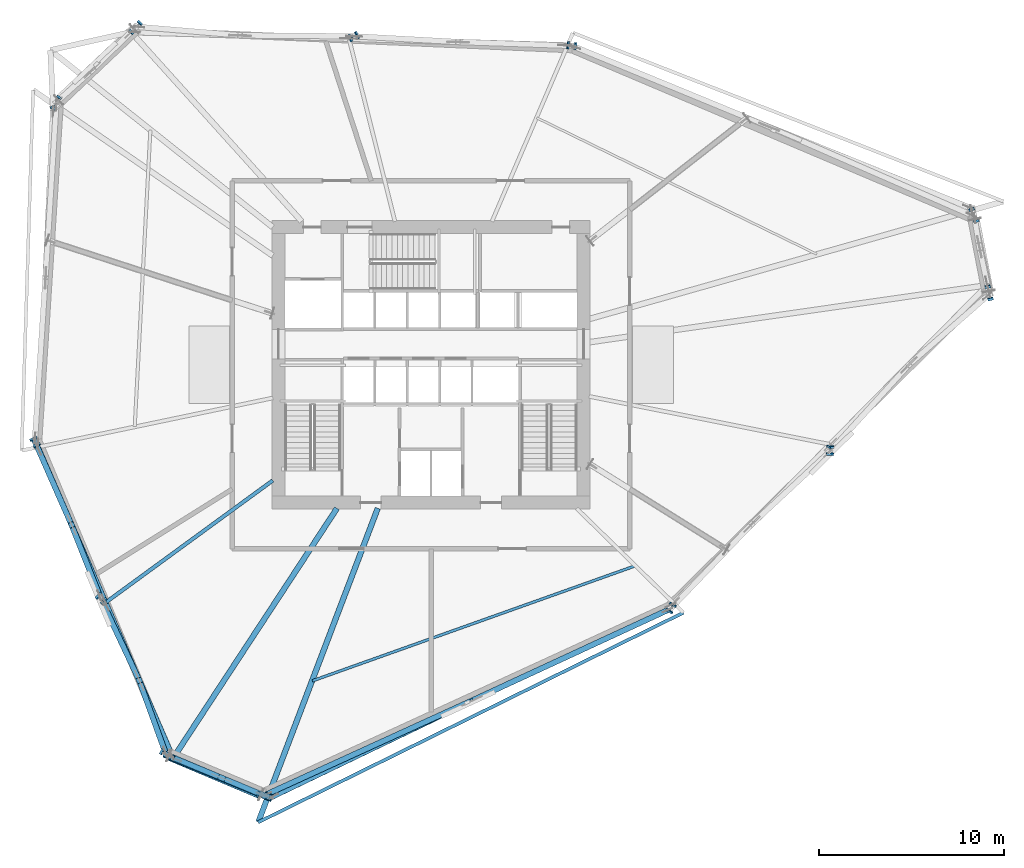
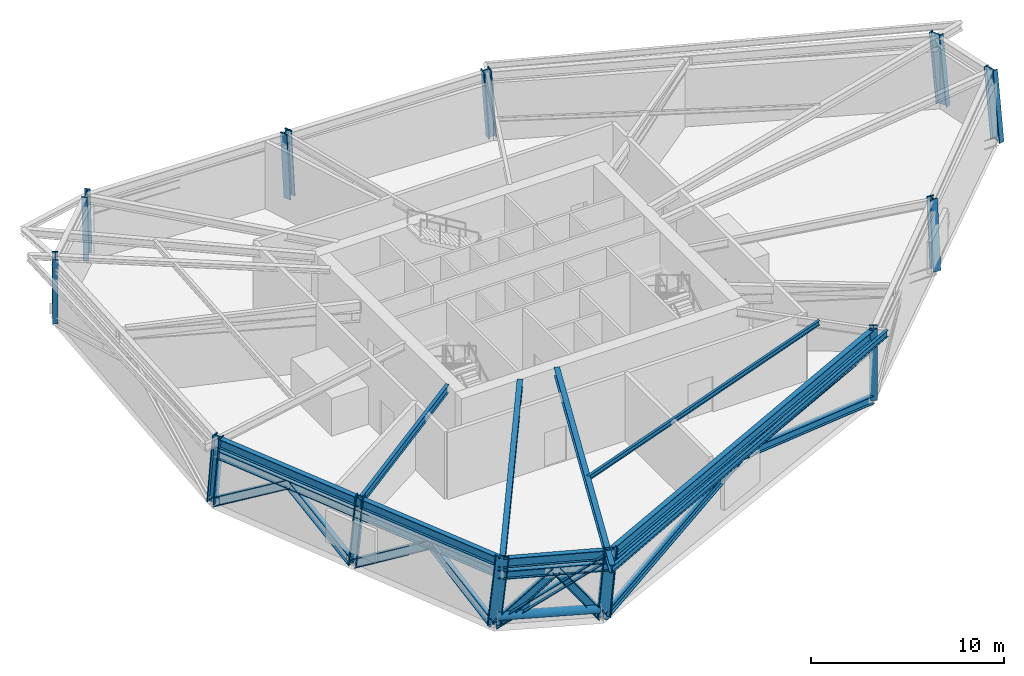
# One storey, part 1 of 15: 14 members, 12 columns, 9 beams.
"""IFC4 building model written with IfcOpenShell, lengths in metres."""

from ifc_helpers import new_model, si_unit, direction, frame, origin, origin_2d, place, context, subcontext, project, spatial, hollow_circle, i_section, extrude, source, transform, mapped, material, material_profile, profile_set, type_object, element, save


model = new_model("IFC4")

# Units and contexts
model_context = context("Model", 3, precision=1e-05, world=origin(), true_north=direction((0.0, 1.0)))
body_context = subcontext(model_context, "Body", "Model", "MODEL_VIEW")
ifc_project = project(units=[si_unit("LENGTHUNIT", "METRE"), si_unit("AREAUNIT", "SQUARE_METRE"), si_unit("VOLUMEUNIT", "CUBIC_METRE"), si_unit("PLANEANGLEUNIT", "RADIAN"), si_unit("MASSUNIT", "GRAM", prefix="KILO")], contexts=[model_context])

# Site, building, storey
site_placement = place(None, origin())
site = spatial("IfcSite", under=ifc_project, at=site_placement, CompositionType="ELEMENT")
building_placement = place(site_placement, origin())
building = spatial("IfcBuilding", under=site, at=building_placement, Name="Olszyna Solenne Hotel", CompositionType="ELEMENT")
storey_placement = place(building_placement, frame((0.0, 0.0, 79.89990234375)))
storey = spatial("IfcBuildingStorey", under=building, at=storey_placement, Name="L20", CompositionType="ELEMENT", Elevation=79.89990234375)

# Columns
ifc_material_1 = material(Name="Steel S460M", Category="steel")
ifc_material_profile_1 = material_profile(ifc_material_1, i_section(OverallWidth=0.303955078125, OverallDepth=0.716064453125, WebThickness=0.02099609375, FlangeThickness=0.0400390625, at=origin_2d()), Name="HEM 700", Category="load-bearing")
ifc_profile_set_1 = profile_set([ifc_material_profile_1], Name="Steel S460M")
column_type_1 = type_object("IfcColumnType", Name="COL-K2", PredefinedType="COLUMN", material=ifc_profile_set_1)
shared_shape_1 = source(origin(), body_context, "Body", "SweptSolid", [
    extrude(i_section(OverallWidth=0.303955078125, OverallDepth=0.716064453125, WebThickness=0.02099609375, FlangeThickness=0.0400390625, at=origin_2d()), origin(), (0.0, 0.0, 1.0), 4.363525390625),
])
column_1_placement = place(storey_placement, frame((68.192138671875, 30.42822265625, 0.0), z_axis=(-0.025401861911, 0.110727499385, 0.993526127634), x_axis=(-0.974680909031, -0.223600370238, 0.0)))
element("IfcColumn", 1, at=column_1_placement, inside=storey, type_object=column_type_1, Name="Perimeter framed-tube column COL-K2 C-L20-01", PredefinedType="COLUMN", context=body_context, shape_type="MappedRepresentation", body=[
    mapped(shared_shape_1, transform((0.0, 0.0, 0.0), x_axis=(1.0, 0.0, 0.0), y_axis=(0.0, 1.0, 0.0), z_axis=(0.0, 0.0, 1.0), scale=1.0)),
])
shared_shape_2 = source(origin(), body_context, "Body", "SweptSolid", [
    extrude(i_section(OverallWidth=0.303955078125, OverallDepth=0.716064453125, WebThickness=0.02099609375, FlangeThickness=0.0400390625, at=origin_2d()), origin(), (0.0, 0.0, 1.0), 4.35986328125),
])
column_2_placement = place(storey_placement, frame((67.377685546875, 34.636962890625, 0.0), z_axis=(-0.038749250033, 0.099112966125, 0.994321434732), x_axis=(-0.93135142614, -0.364121574514, 0.0)))
element("IfcColumn", 2, at=column_2_placement, inside=storey, type_object=column_type_1, Name="Perimeter framed-tube column COL-K2 C-L20-02", PredefinedType="COLUMN", context=body_context, shape_type="MappedRepresentation", body=[
    mapped(shared_shape_2, transform((0.0, 0.0, 0.0), x_axis=(1.0, 0.0, 0.0), y_axis=(0.0, 1.0, 0.0), z_axis=(0.0, 0.0, 1.0), scale=1.0)),
])
ifc_material_profile_2 = material_profile(ifc_material_1, i_section(OverallWidth=0.41796875, OverallDepth=0.455078125, WebThickness=0.03759765625, FlangeThickness=0.05908203125, at=origin_2d()), Name="HD 400x551", Category="load-bearing")
ifc_profile_set_2 = profile_set([ifc_material_profile_2], Name="Steel S460M")
column_type_2 = type_object("IfcColumnType", Name="COL-T2", PredefinedType="COLUMN", material=ifc_profile_set_2)
shared_shape_3 = source(origin(), body_context, "Body", "SweptSolid", [
    extrude(i_section(OverallWidth=0.41796875, OverallDepth=0.455078125, WebThickness=0.03759765625, FlangeThickness=0.05908203125, at=origin_2d()), origin(), (0.0, 0.0, 1.0), 4.345703125),
])
column_3_placement = place(storey_placement, frame((45.64404296875, 43.853515625, 0.0), z_axis=(-0.068709156134, 0.008202401305, 0.997603013466), x_axis=(-0.118536916042, -0.992949646022, 0.0)))
element("IfcColumn", 3, at=column_3_placement, inside=storey, type_object=column_type_2, Name="Perimeter framed-tube column COL-T2 C-L20-03", PredefinedType="COLUMN", context=body_context, shape_type="MappedRepresentation", body=[
    mapped(shared_shape_3, transform((0.0, 0.0, 0.0), x_axis=(1.0, 0.0, 0.0), y_axis=(0.0, 1.0, 0.0), z_axis=(0.0, 0.0, 1.0), scale=1.0)),
])
shared_shape_4 = source(origin(), body_context, "Body", "SweptSolid", [
    extrude(i_section(OverallWidth=0.41796875, OverallDepth=0.455078125, WebThickness=0.03759765625, FlangeThickness=0.05908203125, at=origin_2d()), origin(), (0.0, 0.0, 1.0), 4.3466796875),
])
column_4_placement = place(storey_placement, frame((33.851806640625, 44.37109375, 0.0), z_axis=(-0.066389650147, -0.029375454338, 0.997361267062), x_axis=(0.40463044946, -0.914480289219, 0.0)))
element("IfcColumn", 4, at=column_4_placement, inside=storey, type_object=column_type_2, Name="Perimeter framed-tube column COL-T2 C-L20-04", PredefinedType="COLUMN", context=body_context, shape_type="MappedRepresentation", body=[
    mapped(shared_shape_4, transform((0.0, 0.0, 0.0), x_axis=(1.0, 0.0, 0.0), y_axis=(0.0, 1.0, 0.0), z_axis=(0.0, 0.0, 1.0), scale=1.0)),
])
shared_shape_5 = source(origin(), body_context, "Body", "SweptSolid", [
    extrude(i_section(OverallWidth=0.303955078125, OverallDepth=0.716064453125, WebThickness=0.02099609375, FlangeThickness=0.0400390625, at=origin_2d()), origin(), (0.0, 0.0, 1.0), 4.353759765625),
])
column_5_placement = place(storey_placement, frame((22.059326171875, 44.888427734375, 0.0), z_axis=(-0.06398118245, -0.066728840592, 0.99571766587), x_axis=(0.721811427095, -0.692089780097, 0.0)))
element("IfcColumn", 5, at=column_5_placement, inside=storey, type_object=column_type_1, Name="Perimeter framed-tube column COL-K2 C-L20-05", PredefinedType="COLUMN", context=body_context, shape_type="MappedRepresentation", body=[
    mapped(shared_shape_5, transform((0.0, 0.0, 0.0), x_axis=(1.0, 0.0, 0.0), y_axis=(0.0, 1.0, 0.0), z_axis=(0.0, 0.0, 1.0), scale=1.0)),
])
shared_shape_6 = source(origin(), body_context, "Body", "SweptSolid", [
    extrude(i_section(OverallWidth=0.303955078125, OverallDepth=0.716064453125, WebThickness=0.02099609375, FlangeThickness=0.0400390625, at=origin_2d()), origin(), (0.0, 0.0, 1.0), 4.3505859375),
])
column_6_placement = place(storey_placement, frame((17.742919921875, 40.80615234375, 0.0), z_axis=(-0.040459833121, -0.073736783246, 0.996456666745), x_axis=(0.876694422184, -0.481047700453, 0.0)))
element("IfcColumn", 6, at=column_6_placement, inside=storey, type_object=column_type_1, Name="Perimeter framed-tube column COL-K2 C-L20-06", PredefinedType="COLUMN", context=body_context, shape_type="MappedRepresentation", body=[
    mapped(shared_shape_6, transform((0.0, 0.0, 0.0), x_axis=(1.0, 0.0, 0.0), y_axis=(0.0, 1.0, 0.0), z_axis=(0.0, 0.0, 1.0), scale=1.0)),
])
shared_shape_7 = source(origin(), body_context, "Body", "SweptSolid", [
    extrude(i_section(OverallWidth=0.41796875, OverallDepth=0.455078125, WebThickness=0.03759765625, FlangeThickness=0.05908203125, at=origin_2d()), origin(), (0.0, 0.0, 1.0), 4.349853515625),
])
column_7_placement = place(storey_placement, frame((16.57421875, 22.473876953125, 0.0), z_axis=(0.036763384423, -0.073021623105, 0.996652545336), x_axis=(0.893188004966, 0.449683430632, 0.0)))
element("IfcColumn", 7, at=column_7_placement, inside=storey, type_object=column_type_2, Name="Perimeter framed-tube column COL-T2 C-L20-07", PredefinedType="COLUMN", context=body_context, shape_type="MappedRepresentation", body=[
    mapped(shared_shape_7, transform((0.0, 0.0, 0.0), x_axis=(1.0, 0.0, 0.0), y_axis=(0.0, 1.0, 0.0), z_axis=(0.0, 0.0, 1.0), scale=1.0)),
])
shared_shape_8 = source(origin(), body_context, "Body", "SweptSolid", [
    extrude(i_section(OverallWidth=0.41796875, OverallDepth=0.455078125, WebThickness=0.03759765625, FlangeThickness=0.05908203125, at=origin_2d()), origin(), (0.0, 0.0, 1.0), 4.351318359375),
])
column_8_placement = place(storey_placement, frame((20.126220703125, 14.00390625, 0.0), z_axis=(0.061270817666, -0.059868097481, 0.996324092756), x_axis=(0.698872032261, 0.715246728425, 0.0)))
element("IfcColumn", 8, at=column_8_placement, inside=storey, type_object=column_type_2, Name="Perimeter framed-tube column COL-T2 C-L20-08", PredefinedType="COLUMN", context=body_context, shape_type="MappedRepresentation", body=[
    mapped(shared_shape_8, transform((0.0, 0.0, 0.0), x_axis=(1.0, 0.0, 0.0), y_axis=(0.0, 1.0, 0.0), z_axis=(0.0, 0.0, 1.0), scale=1.0)),
])
shared_shape_9 = source(origin(), body_context, "Body", "SweptSolid", [
    extrude(i_section(OverallWidth=0.303955078125, OverallDepth=0.716064453125, WebThickness=0.02099609375, FlangeThickness=0.0400390625, at=origin_2d()), origin(), (0.0, 0.0, 1.0), 4.35595703125),
])
column_9_placement = place(storey_placement, frame((23.677978515625, 5.53369140625, 0.0), z_axis=(0.085807381711, -0.046630791367, 0.995219906624), x_axis=(0.477484426277, 0.878640212296, 0.0)))
element("IfcColumn", 9, at=column_9_placement, inside=storey, type_object=column_type_1, Name="Perimeter framed-tube column COL-K2 C-L20-09", PredefinedType="COLUMN", context=body_context, shape_type="MappedRepresentation", body=[
    mapped(shared_shape_9, transform((0.0, 0.0, 0.0), x_axis=(1.0, 0.0, 0.0), y_axis=(0.0, 1.0, 0.0), z_axis=(0.0, 0.0, 1.0), scale=1.0)),
])
shared_shape_10 = source(origin(), body_context, "Body", "SweptSolid", [
    extrude(i_section(OverallWidth=0.303955078125, OverallDepth=0.716064453125, WebThickness=0.02099609375, FlangeThickness=0.0400390625, at=origin_2d()), origin(), (0.0, 0.0, 1.0), 4.351318359375),
])
column_10_placement = place(storey_placement, frame((28.949951171875, 3.306884765625, 0.0), z_axis=(0.082869842414, -0.023228242897, 0.996289635573), x_axis=(0.269895907344, 0.962889505187, 0.0)))
element("IfcColumn", 10, at=column_10_placement, inside=storey, type_object=column_type_1, Name="Perimeter framed-tube column COL-K2 C-L20-10", PredefinedType="COLUMN", context=body_context, shape_type="MappedRepresentation", body=[
    mapped(shared_shape_10, transform((0.0, 0.0, 0.0), x_axis=(1.0, 0.0, 0.0), y_axis=(0.0, 1.0, 0.0), z_axis=(0.0, 0.0, 1.0), scale=1.0)),
])
shared_shape_11 = source(origin(), body_context, "Body", "SweptSolid", [
    extrude(i_section(OverallWidth=0.41796875, OverallDepth=0.455078125, WebThickness=0.03759765625, FlangeThickness=0.05908203125, at=origin_2d()), origin(), (0.0, 0.0, 1.0), 4.34619140625),
])
column_11_placement = place(storey_placement, frame((50.955810546875, 13.4169921875, 0.0), z_axis=(0.034378288577, 0.062128083604, 0.997475931791), x_axis=(-0.874976999034, 0.484164487712, 0.0)))
element("IfcColumn", 11, at=column_11_placement, inside=storey, type_object=column_type_2, Name="Perimeter framed-tube column COL-T2 C-L20-11", PredefinedType="COLUMN", context=body_context, shape_type="MappedRepresentation", body=[
    mapped(shared_shape_11, transform((0.0, 0.0, 0.0), x_axis=(1.0, 0.0, 0.0), y_axis=(0.0, 1.0, 0.0), z_axis=(0.0, 0.0, 1.0), scale=1.0)),
])
shared_shape_12 = source(origin(), body_context, "Body", "SweptSolid", [
    extrude(i_section(OverallWidth=0.41796875, OverallDepth=0.455078125, WebThickness=0.03759765625, FlangeThickness=0.05908203125, at=origin_2d()), origin(), (0.0, 0.0, 1.0), 4.3515625),
])
column_12_placement = place(storey_placement, frame((59.573974609375, 21.922607421875, 0.0), z_axis=(0.004432225668, 0.086512556705, 0.996240901042), x_axis=(-0.998690210407, 0.05116506266, 0.0)))
element("IfcColumn", 12, at=column_12_placement, inside=storey, type_object=column_type_2, Name="Perimeter framed-tube column COL-T2 C-L20-12", PredefinedType="COLUMN", context=body_context, shape_type="MappedRepresentation", body=[
    mapped(shared_shape_12, transform((0.0, 0.0, 0.0), x_axis=(1.0, 0.0, 0.0), y_axis=(0.0, 1.0, 0.0), z_axis=(0.0, 0.0, 1.0), scale=1.0)),
])

# Beams
ifc_material_2 = material(Name="Steel S355J2", Category="steel")
ifc_material_profile_3 = material_profile(ifc_material_2, i_section(OverallWidth=0.300048828125, OverallDepth=0.60009765625, WebThickness=0.015380859375, FlangeThickness=0.030029296875, at=origin_2d()), Name="HEB 600", Category="load-bearing")
ifc_profile_set_3 = profile_set([ifc_material_profile_3], Name="Steel S355J2")
beam_type_1 = type_object("IfcBeamType", Name="BM-S2", PredefinedType="BEAM", material=ifc_profile_set_3)
shared_shape_13 = source(origin(), body_context, "Body", "SweptSolid", [
    extrude(i_section(OverallWidth=0.300048828125, OverallDepth=0.60009765625, WebThickness=0.015380859375, FlangeThickness=0.030029296875, at=origin_2d()), origin(), (0.0, 0.0, 1.0), 9.05419921875),
])
beam_1_placement = place(storey_placement, frame((16.758056640625, 22.101318359375, 3.9501953125), z_axis=(0.398804988611, -0.917035757787, 0.0), x_axis=(0.917035757787, 0.398804988611, 0.0)))
element("IfcBeam", 13, at=beam_1_placement, inside=storey, type_object=beam_type_1, Name="Perimeter spandrel beam BM-S2 B-L20-0606", PredefinedType="BEAM", context=body_context, shape_type="MappedRepresentation", body=[
    mapped(shared_shape_13, transform((0.0, 0.0, 0.0), x_axis=(1.0, 0.0, 0.0), y_axis=(0.0, 1.0, 0.0), z_axis=(0.0, 0.0, 1.0), scale=1.0)),
])
shared_shape_14 = source(origin(), body_context, "Body", "SweptSolid", [
    extrude(i_section(OverallWidth=0.300048828125, OverallDepth=0.60009765625, WebThickness=0.015380859375, FlangeThickness=0.030029296875, at=origin_2d()), origin(), (0.0, 0.0, 1.0), 9.053955078125),
])
beam_2_placement = place(storey_placement, frame((20.416748046875, 13.688232421875, 3.9501953125), z_axis=(0.398837526152, -0.917021607015, 0.0), x_axis=(0.917021607015, 0.398837526152, 0.0)))
element("IfcBeam", 14, at=beam_2_placement, inside=storey, type_object=beam_type_1, Name="Perimeter spandrel beam BM-S2 B-L20-0607", PredefinedType="BEAM", context=body_context, shape_type="MappedRepresentation", body=[
    mapped(shared_shape_14, transform((0.0, 0.0, 0.0), x_axis=(1.0, 0.0, 0.0), y_axis=(0.0, 1.0, 0.0), z_axis=(0.0, 0.0, 1.0), scale=1.0)),
])
shared_shape_15 = source(origin(), body_context, "Body", "SweptSolid", [
    extrude(i_section(OverallWidth=0.300048828125, OverallDepth=0.60009765625, WebThickness=0.015380859375, FlangeThickness=0.030029296875, at=origin_2d()), origin(), (0.0, 0.0, 1.0), 5.5517578125),
])
beam_3_placement = place(storey_placement, frame((24.107421875, 5.30810546875, 3.9501953125), z_axis=(0.927176048561, -0.374625913379, 0.0), x_axis=(0.374625913379, 0.927176048561, 0.0)))
element("IfcBeam", 15, at=beam_3_placement, inside=storey, type_object=beam_type_1, Name="Perimeter spandrel beam BM-S2 B-L20-0608", PredefinedType="BEAM", context=body_context, shape_type="MappedRepresentation", body=[
    mapped(shared_shape_15, transform((0.0, 0.0, 0.0), x_axis=(1.0, 0.0, 0.0), y_axis=(0.0, 1.0, 0.0), z_axis=(0.0, 0.0, 1.0), scale=1.0)),
])
shared_shape_16 = source(origin(), body_context, "Body", "SweptSolid", [
    extrude(i_section(OverallWidth=0.300048828125, OverallDepth=0.60009765625, WebThickness=0.015380859375, FlangeThickness=0.030029296875, at=origin_2d()), origin(), (0.0, 0.0, 1.0), 24.063720703125),
])
beam_4_placement = place(storey_placement, frame((29.36474609375, 3.231689453125, 3.9501953125), z_axis=(0.901202056219, 0.433399185355, 0.0), x_axis=(-0.433399185355, 0.901202056219, 0.0)))
element("IfcBeam", 16, at=beam_4_placement, inside=storey, type_object=beam_type_1, Name="Perimeter spandrel beam BM-S2 B-L20-0609", PredefinedType="BEAM", context=body_context, shape_type="MappedRepresentation", body=[
    mapped(shared_shape_16, transform((0.0, 0.0, 0.0), x_axis=(1.0, 0.0, 0.0), y_axis=(0.0, 1.0, 0.0), z_axis=(0.0, 0.0, 1.0), scale=1.0)),
])
ifc_material_profile_4 = material_profile(ifc_material_2, i_section(OverallWidth=0.199951171875, OverallDepth=0.5, WebThickness=0.01025390625, FlangeThickness=0.01611328125, at=origin_2d()), Name="IPE 500", Category="load-bearing")
ifc_profile_set_4 = profile_set([ifc_material_profile_4], Name="Steel S355J2")
beam_type_2 = type_object("IfcBeamType", Name="BM-F3", PredefinedType="BEAM", material=ifc_profile_set_4)
shared_shape_17 = source(origin(), body_context, "Body", "SweptSolid", [
    extrude(i_section(OverallWidth=0.199951171875, OverallDepth=0.5, WebThickness=0.01025390625, FlangeThickness=0.01611328125, at=origin_2d()), origin(), (0.0, 0.0, 1.0), 11.142822265625),
])
beam_5_placement = place(storey_placement, frame((20.44140625, 13.77880859375, 4.0), z_axis=(0.807611858517, 0.589714410526, 0.0), x_axis=(-0.589714410526, 0.807611858517, 0.0)))
element("IfcBeam", 17, at=beam_5_placement, inside=storey, type_object=beam_type_2, Name="Radial floor girder BM-F3 B-L20-0619", PredefinedType="BEAM", context=body_context, shape_type="MappedRepresentation", body=[
    mapped(shared_shape_17, transform((0.0, 0.0, 0.0), x_axis=(1.0, 0.0, 0.0), y_axis=(0.0, 1.0, 0.0), z_axis=(0.0, 0.0, 1.0), scale=1.0)),
])
ifc_material_profile_5 = material_profile(ifc_material_2, i_section(OverallWidth=0.300048828125, OverallDepth=0.489990234375, WebThickness=0.011962890625, FlangeThickness=0.02294921875, at=origin_2d()), Name="HEA 500", Category="load-bearing")
ifc_profile_set_5 = profile_set([ifc_material_profile_5], Name="Steel S355J2")
beam_type_3 = type_object("IfcBeamType", Name="BM-G1", PredefinedType="BEAM", material=ifc_profile_set_5)
shared_shape_18 = source(origin(), body_context, "Body", "SweptSolid", [
    extrude(i_section(OverallWidth=0.300048828125, OverallDepth=0.489990234375, WebThickness=0.011962890625, FlangeThickness=0.02294921875, at=origin_2d()), origin(), (0.0, 0.0, 1.0), 16.097412109375),
])
beam_6_placement = place(storey_placement, frame((24.084716796875, 5.380615234375, 4.005126953125), z_axis=(0.548384432919, 0.836226353168, 0.0), x_axis=(-0.836226353168, 0.548384432919, 0.0)))
element("IfcBeam", 18, at=beam_6_placement, inside=storey, type_object=beam_type_3, Name="Radial floor girder BM-G1 B-L20-0620", PredefinedType="BEAM", context=body_context, shape_type="MappedRepresentation", body=[
    mapped(shared_shape_18, transform((0.0, 0.0, 0.0), x_axis=(1.0, 0.0, 0.0), y_axis=(0.0, 1.0, 0.0), z_axis=(0.0, 0.0, 1.0), scale=1.0)),
])
shared_shape_19 = source(origin(), body_context, "Body", "SweptSolid", [
    extrude(i_section(OverallWidth=0.300048828125, OverallDepth=0.489990234375, WebThickness=0.011962890625, FlangeThickness=0.02294921875, at=origin_2d()), origin(), (0.0, 0.0, 1.0), 18.1513671875),
])
beam_7_placement = place(storey_placement, frame((28.659912109375, 1.884033203125, 4.005126953125), z_axis=(0.355906394693, 0.934521609283, 0.0), x_axis=(-0.934521609283, 0.355906394693, 0.0)))
element("IfcBeam", 19, at=beam_7_placement, inside=storey, type_object=beam_type_3, Name="Radial floor girder BM-G1 B-L20-0621", PredefinedType="BEAM", context=body_context, shape_type="MappedRepresentation", body=[
    mapped(shared_shape_19, transform((0.0, 0.0, 0.0), x_axis=(1.0, 0.0, 0.0), y_axis=(0.0, 1.0, 0.0), z_axis=(0.0, 0.0, 1.0), scale=1.0)),
])
ifc_material_profile_6 = material_profile(ifc_material_2, i_section(OverallWidth=0.14990234375, OverallDepth=0.300048828125, WebThickness=0.007080078125, FlangeThickness=0.0107421875, at=origin_2d()), Name="IPE 300", Category="load-bearing")
ifc_profile_set_6 = profile_set([ifc_material_profile_6], Name="Steel S355J2")
beam_type_4 = type_object("IfcBeamType", Name="JS-02", PredefinedType="JOIST", material=ifc_profile_set_6)
shared_shape_20 = source(origin(), body_context, "Body", "SweptSolid", [
    extrude(i_section(OverallWidth=0.14990234375, OverallDepth=0.300048828125, WebThickness=0.007080078125, FlangeThickness=0.0107421875, at=origin_2d()), origin(), (0.0, 0.0, 1.0), 18.52587890625),
])
beam_8_placement = place(storey_placement, frame((31.581787109375, 9.513916015625, 4.10009765625), z_axis=(0.942004297678, 0.335600809231, 0.0), x_axis=(-0.335600809231, 0.942004297678, 0.0)))
element("IfcBeam", 20, at=beam_8_placement, inside=storey, type_object=beam_type_4, Name="Secondary composite floor joist JS-02 B-L20-0629", PredefinedType="JOIST", context=body_context, shape_type="MappedRepresentation", body=[
    mapped(shared_shape_20, transform((0.0, 0.0, 0.0), x_axis=(1.0, 0.0, 0.0), y_axis=(0.0, 1.0, 0.0), z_axis=(0.0, 0.0, 1.0), scale=1.0)),
])
ifc_material_profile_7 = material_profile(ifc_material_2, i_section(OverallWidth=0.179931640625, OverallDepth=0.39990234375, WebThickness=0.008544921875, FlangeThickness=0.013427734375, at=origin_2d()), Name="IPE 400", Category="load-bearing")
ifc_profile_set_7 = profile_set([ifc_material_profile_7], Name="Steel S355J2")
beam_type_5 = type_object("IfcBeamType", Name="BM-F5", PredefinedType="BEAM", material=ifc_profile_set_7)
shared_shape_21 = source(origin(), body_context, "Body", "SweptSolid", [
    extrude(i_section(OverallWidth=0.179931640625, OverallDepth=0.39990234375, WebThickness=0.008544921875, FlangeThickness=0.013427734375, at=origin_2d()), origin(), (0.0, 0.0, 1.0), 25.637939453125),
])
beam_9_placement = place(storey_placement, frame((28.652587890625, 1.865478515625, 4.050048828125), z_axis=(0.896891257449, 0.442251141673, 0.0), x_axis=(-0.442251141673, 0.896891257449, 0.0)))
element("IfcBeam", 21, at=beam_9_placement, inside=storey, type_object=beam_type_5, Name="Loggia outer edge beam BM-F5 B-L20-0632", PredefinedType="BEAM", context=body_context, shape_type="MappedRepresentation", body=[
    mapped(shared_shape_21, transform((0.0, 0.0, 0.0), x_axis=(1.0, 0.0, 0.0), y_axis=(0.0, 1.0, 0.0), z_axis=(0.0, 0.0, 1.0), scale=1.0)),
])

# Members
ifc_material_profile_8 = material_profile(ifc_material_1, i_section(OverallWidth=0.406005859375, OverallDepth=0.416015625, WebThickness=0.026611328125, FlangeThickness=0.04150390625, at=origin_2d()), Name="HD 400x382", Category="load-bearing")
ifc_profile_set_8 = profile_set([ifc_material_profile_8], Name="Steel S460M")
member_type_1 = type_object("IfcMemberType", Name="BR-T2", PredefinedType="BRACE", material=ifc_profile_set_8)
shared_shape_22 = source(origin(), body_context, "Body", "SweptSolid", [
    extrude(i_section(OverallWidth=0.406005859375, OverallDepth=0.416015625, WebThickness=0.026611328125, FlangeThickness=0.04150390625, at=origin_2d()), origin(), (0.0, 0.0, 1.0), 7.2412109375),
])
member_1_placement = place(storey_placement, frame((23.677978515625, 5.53369140625, 0.010009765625), z_axis=(0.777856063043, -0.321479674098, 0.539991448385), x_axis=(0.381954307464, 0.924181208968, 0.0)))
element("IfcMember", 22, at=member_1_placement, inside=storey, type_object=member_type_1, Name="Perimeter braced-tube diagonal BR-T2 BR-L20-3", PredefinedType="BRACE", context=body_context, shape_type="MappedRepresentation", body=[
    mapped(shared_shape_22, transform((0.0, 0.0, 0.0), x_axis=(1.0, 0.0, 0.0), y_axis=(0.0, 1.0, 0.0), z_axis=(0.0, 0.0, 1.0), scale=1.0)),
])
ifc_material_profile_9 = material_profile(ifc_material_2, i_section(OverallWidth=0.305908203125, OverallDepth=0.52392578125, WebThickness=0.02099609375, FlangeThickness=0.0400390625, at=origin_2d()), Name="HEM 500", Category="load-bearing")
ifc_profile_set_9 = profile_set([ifc_material_profile_9], Name="Steel S355J2")
member_type_2 = type_object("IfcMemberType", Name="CH-TR1", PredefinedType="CHORD", material=ifc_profile_set_9)
shared_shape_23 = source(origin(), body_context, "Body", "SweptSolid", [
    extrude(i_section(OverallWidth=0.305908203125, OverallDepth=0.52392578125, WebThickness=0.02099609375, FlangeThickness=0.0400390625, at=origin_2d()), origin(), (0.0, 0.0, 1.0), 9.09375),
])
for number, where, z_axis, x_axis, name in (
    (23, (16.750244140625, 22.119384765625, 3.2001953125), (0.398809552592, -0.917033772967, 0.0), (0.917033772967, 0.398809552592, 0.0), "Belt truss upper chord CH-TR1 CH-L20-07"),
    (24, (20.408935546875, 13.70654296875, 3.2001953125), (0.398809552592, -0.917033772967, 0.0), (0.917033772967, 0.398809552592, 0.0), "Belt truss upper chord CH-TR1 CH-L20-08"),
):
    element("IfcMember", number, at=place(storey_placement, frame(where, z_axis=z_axis, x_axis=x_axis)), inside=storey, type_object=member_type_2, Name=name, PredefinedType="CHORD", context=body_context, shape_type="MappedRepresentation", body=[
        mapped(shared_shape_23, transform((0.0, 0.0, 0.0), x_axis=(1.0, 0.0, 0.0), y_axis=(0.0, 1.0, 0.0), z_axis=(0.0, 0.0, 1.0), scale=1.0)),
    ])
ifc_material_profile_10 = material_profile(ifc_material_2, i_section(OverallWidth=0.300048828125, OverallDepth=0.5, WebThickness=0.014404296875, FlangeThickness=0.028076171875, at=origin_2d()), Name="HEB 500", Category="load-bearing")
ifc_profile_set_10 = profile_set([ifc_material_profile_10], Name="Steel S355J2")
member_type_3 = type_object("IfcMemberType", Name="BR-BL1", PredefinedType="BRACE", material=ifc_profile_set_10)
shared_shape_24 = source(origin(), body_context, "Body", "SweptSolid", [
    extrude(i_section(OverallWidth=0.300048828125, OverallDepth=0.5, WebThickness=0.014404296875, FlangeThickness=0.028076171875, at=origin_2d()), origin(), (0.0, 0.0, 1.0), 5.84326171875),
])
member_2_placement = place(storey_placement, frame((16.58984375, 22.43701171875, 0.02001953125), z_axis=(0.337757528412, -0.767934608141, 0.544239184202), x_axis=(0.915373771187, 0.402605090657, 0.0)))
element("IfcMember", 25, at=member_2_placement, inside=storey, type_object=member_type_3, Name="Belt truss diagonal BR-BL1 BT-L20-07-1", PredefinedType="BRACE", context=body_context, shape_type="MappedRepresentation", body=[
    mapped(shared_shape_24, transform((0.0, 0.0, 0.0), x_axis=(1.0, 0.0, 0.0), y_axis=(0.0, 1.0, 0.0), z_axis=(0.0, 0.0, 1.0), scale=1.0)),
])
shared_shape_25 = source(origin(), body_context, "Body", "SweptSolid", [
    extrude(i_section(OverallWidth=0.300048828125, OverallDepth=0.5, WebThickness=0.014404296875, FlangeThickness=0.028076171875, at=origin_2d()), origin(), (0.0, 0.0, 1.0), 5.271240234375),
])
member_3_placement = place(storey_placement, frame((20.110595703125, 14.040771484375, 0.02001953125), z_axis=(-0.293497173447, 0.741546985017, 0.603297172371), x_axis=(-0.929820275582, -0.368013933319, 0.0)))
element("IfcMember", 26, at=member_3_placement, inside=storey, type_object=member_type_3, Name="Belt truss diagonal BR-BL1 BT-L20-07-2", PredefinedType="BRACE", context=body_context, shape_type="MappedRepresentation", body=[
    mapped(shared_shape_25, transform((0.0, 0.0, 0.0), x_axis=(1.0, 0.0, 0.0), y_axis=(0.0, 1.0, 0.0), z_axis=(0.0, 0.0, 1.0), scale=1.0)),
])
shared_shape_26 = source(origin(), body_context, "Body", "SweptSolid", [
    extrude(i_section(OverallWidth=0.300048828125, OverallDepth=0.5, WebThickness=0.014404296875, FlangeThickness=0.028076171875, at=origin_2d()), origin(), (0.0, 0.0, 1.0), 5.836669921875),
])
member_4_placement = place(storey_placement, frame((20.1416015625, 13.966796875, 0.02001953125), z_axis=(0.35650191511, -0.758973043491, 0.544854387683), x_axis=(0.905122572536, 0.425150712908, 0.0)))
element("IfcMember", 27, at=member_4_placement, inside=storey, type_object=member_type_3, Name="Belt truss diagonal BR-BL1 BT-L20-08-1", PredefinedType="BRACE", context=body_context, shape_type="MappedRepresentation", body=[
    mapped(shared_shape_26, transform((0.0, 0.0, 0.0), x_axis=(1.0, 0.0, 0.0), y_axis=(0.0, 1.0, 0.0), z_axis=(0.0, 0.0, 1.0), scale=1.0)),
])
shared_shape_27 = source(origin(), body_context, "Body", "SweptSolid", [
    extrude(i_section(OverallWidth=0.300048828125, OverallDepth=0.5, WebThickness=0.014404296875, FlangeThickness=0.028076171875, at=origin_2d()), origin(), (0.0, 0.0, 1.0), 5.283935546875),
])
member_5_placement = place(storey_placement, frame((23.66259765625, 5.570556640625, 0.02001953125), z_axis=(-0.272562764615, 0.750644969306, 0.601865158819), x_axis=(-0.93995380067, -0.341301703198, 0.0)))
element("IfcMember", 28, at=member_5_placement, inside=storey, type_object=member_type_3, Name="Belt truss diagonal BR-BL1 BT-L20-08-2", PredefinedType="BRACE", context=body_context, shape_type="MappedRepresentation", body=[
    mapped(shared_shape_27, transform((0.0, 0.0, 0.0), x_axis=(1.0, 0.0, 0.0), y_axis=(0.0, 1.0, 0.0), z_axis=(0.0, 0.0, 1.0), scale=1.0)),
])
shared_shape_28 = source(origin(), body_context, "Body", "SweptSolid", [
    extrude(i_section(OverallWidth=0.305908203125, OverallDepth=0.52392578125, WebThickness=0.02099609375, FlangeThickness=0.0400390625, at=origin_2d()), origin(), (0.0, 0.0, 1.0), 5.591796875),
])
member_6_placement = place(storey_placement, frame((24.0888671875, 5.3154296875, 3.2001953125), z_axis=(0.927182352221, -0.374610311831, 0.0), x_axis=(0.374610311831, 0.927182352221, 0.0)))
element("IfcMember", 29, at=member_6_placement, inside=storey, type_object=member_type_2, Name="Belt truss upper chord CH-TR1 CH-L20-09", PredefinedType="CHORD", context=body_context, shape_type="MappedRepresentation", body=[
    mapped(shared_shape_28, transform((0.0, 0.0, 0.0), x_axis=(1.0, 0.0, 0.0), y_axis=(0.0, 1.0, 0.0), z_axis=(0.0, 0.0, 1.0), scale=1.0)),
])
shared_shape_29 = source(origin(), body_context, "Body", "SweptSolid", [
    extrude(i_section(OverallWidth=0.300048828125, OverallDepth=0.5, WebThickness=0.014404296875, FlangeThickness=0.028076171875, at=origin_2d()), origin(), (0.0, 0.0, 1.0), 4.52490234375),
])
member_7_placement = place(storey_placement, frame((23.71484375, 5.51806640625, 0.02001953125), z_axis=(0.655557511115, -0.27619744028, 0.702822398336), x_axis=(0.388263831134, 0.921548261044, 0.0)))
element("IfcMember", 30, at=member_7_placement, inside=storey, type_object=member_type_3, Name="Belt truss diagonal BR-BL1 BT-L20-09-1", PredefinedType="BRACE", context=body_context, shape_type="MappedRepresentation", body=[
    mapped(shared_shape_29, transform((0.0, 0.0, 0.0), x_axis=(1.0, 0.0, 0.0), y_axis=(0.0, 1.0, 0.0), z_axis=(0.0, 0.0, 1.0), scale=1.0)),
])
shared_shape_30 = source(origin(), body_context, "Body", "SweptSolid", [
    extrude(i_section(OverallWidth=0.300048828125, OverallDepth=0.5, WebThickness=0.014404296875, FlangeThickness=0.028076171875, at=origin_2d()), origin(), (0.0, 0.0, 1.0), 3.998779296875),
])
member_8_placement = place(storey_placement, frame((28.9130859375, 3.322509765625, 0.02001953125), z_axis=(-0.558165098815, 0.236527192388, 0.795302841518), x_axis=(-0.390172189325, -0.920741908831, 0.0)))
element("IfcMember", 31, at=member_8_placement, inside=storey, type_object=member_type_3, Name="Belt truss diagonal BR-BL1 BT-L20-09-2", PredefinedType="BRACE", context=body_context, shape_type="MappedRepresentation", body=[
    mapped(shared_shape_30, transform((0.0, 0.0, 0.0), x_axis=(1.0, 0.0, 0.0), y_axis=(0.0, 1.0, 0.0), z_axis=(0.0, 0.0, 1.0), scale=1.0)),
])
shared_shape_31 = source(origin(), body_context, "Body", "SweptSolid", [
    extrude(i_section(OverallWidth=0.305908203125, OverallDepth=0.52392578125, WebThickness=0.02099609375, FlangeThickness=0.0400390625, at=origin_2d()), origin(), (0.0, 0.0, 1.0), 24.103759765625),
])
member_9_placement = place(storey_placement, frame((29.3466796875, 3.22314453125, 3.2001953125), z_axis=(0.901202748633, 0.43339774556, 0.0), x_axis=(-0.43339774556, 0.901202748633, 0.0)))
element("IfcMember", 32, at=member_9_placement, inside=storey, type_object=member_type_2, Name="Belt truss upper chord CH-TR1 CH-L20-10", PredefinedType="CHORD", context=body_context, shape_type="MappedRepresentation", body=[
    mapped(shared_shape_31, transform((0.0, 0.0, 0.0), x_axis=(1.0, 0.0, 0.0), y_axis=(0.0, 1.0, 0.0), z_axis=(0.0, 0.0, 1.0), scale=1.0)),
])
shared_shape_32 = source(origin(), body_context, "Body", "SweptSolid", [
    extrude(i_section(OverallWidth=0.300048828125, OverallDepth=0.5, WebThickness=0.014404296875, FlangeThickness=0.028076171875, at=origin_2d()), origin(), (0.0, 0.0, 1.0), 12.739013671875),
])
member_10_placement = place(storey_placement, frame((28.986328125, 3.323486328125, 0.02001953125), z_axis=(0.880890097143, 0.402134646862, 0.249640466569), x_axis=(-0.415283092422, 0.909692229904, 0.0)))
element("IfcMember", 33, at=member_10_placement, inside=storey, type_object=member_type_3, Name="Belt truss diagonal BR-BL1 BT-L20-10-1", PredefinedType="BRACE", context=body_context, shape_type="MappedRepresentation", body=[
    mapped(shared_shape_32, transform((0.0, 0.0, 0.0), x_axis=(1.0, 0.0, 0.0), y_axis=(0.0, 1.0, 0.0), z_axis=(0.0, 0.0, 1.0), scale=1.0)),
])
shared_shape_33 = source(origin(), body_context, "Body", "SweptSolid", [
    extrude(i_section(OverallWidth=0.300048828125, OverallDepth=0.5, WebThickness=0.014404296875, FlangeThickness=0.028076171875, at=origin_2d()), origin(), (0.0, 0.0, 1.0), 12.22265625),
])
member_11_placement = place(storey_placement, frame((50.91943359375, 13.400390625, 0.02001953125), z_axis=(-0.876364254447, -0.405323960688, 0.260188739992), x_axis=(0.419782192834, -0.907624873271, 0.0)))
element("IfcMember", 34, at=member_11_placement, inside=storey, type_object=member_type_3, Name="Belt truss diagonal BR-BL1 BT-L20-10-2", PredefinedType="BRACE", context=body_context, shape_type="MappedRepresentation", body=[
    mapped(shared_shape_33, transform((0.0, 0.0, 0.0), x_axis=(1.0, 0.0, 0.0), y_axis=(0.0, 1.0, 0.0), z_axis=(0.0, 0.0, 1.0), scale=1.0)),
])
ifc_material_profile_11 = material_profile(ifc_material_2, hollow_circle(Radius=0.25390625, WallThickness=0.02001953125, at=origin_2d()), Name="CHS 508x20", Category="load-bearing")
ifc_profile_set_11 = profile_set([ifc_material_profile_11], Name="Steel S355J2")
member_type_4 = type_object("IfcMemberType", Name="BR-TB2", PredefinedType="BRACE", material=ifc_profile_set_11)
shared_shape_34 = source(origin(), body_context, "Body", "SweptSolid", [
    extrude(hollow_circle(Radius=0.25390625, WallThickness=0.02001953125, at=origin_2d()), origin(), (0.0, 0.0, 1.0), 5.363037109375),
])
member_12_placement = place(storey_placement, frame((23.84375, 5.463623046875, 0.550048828125), z_axis=(0.921185749358, -0.389123136268, 0.0), x_axis=(0.389123136268, 0.921185749358, 0.0)))
element("IfcMember", 35, at=member_12_placement, inside=storey, type_object=member_type_4, Name="Belt collar tie BR-TB2 CTB-L20-3", PredefinedType="BRACE", context=body_context, shape_type="MappedRepresentation", body=[
    mapped(shared_shape_34, transform((0.0, 0.0, 0.0), x_axis=(1.0, 0.0, 0.0), y_axis=(0.0, 1.0, 0.0), z_axis=(0.0, 0.0, 1.0), scale=1.0)),
])

save(model, "model.ifc")
